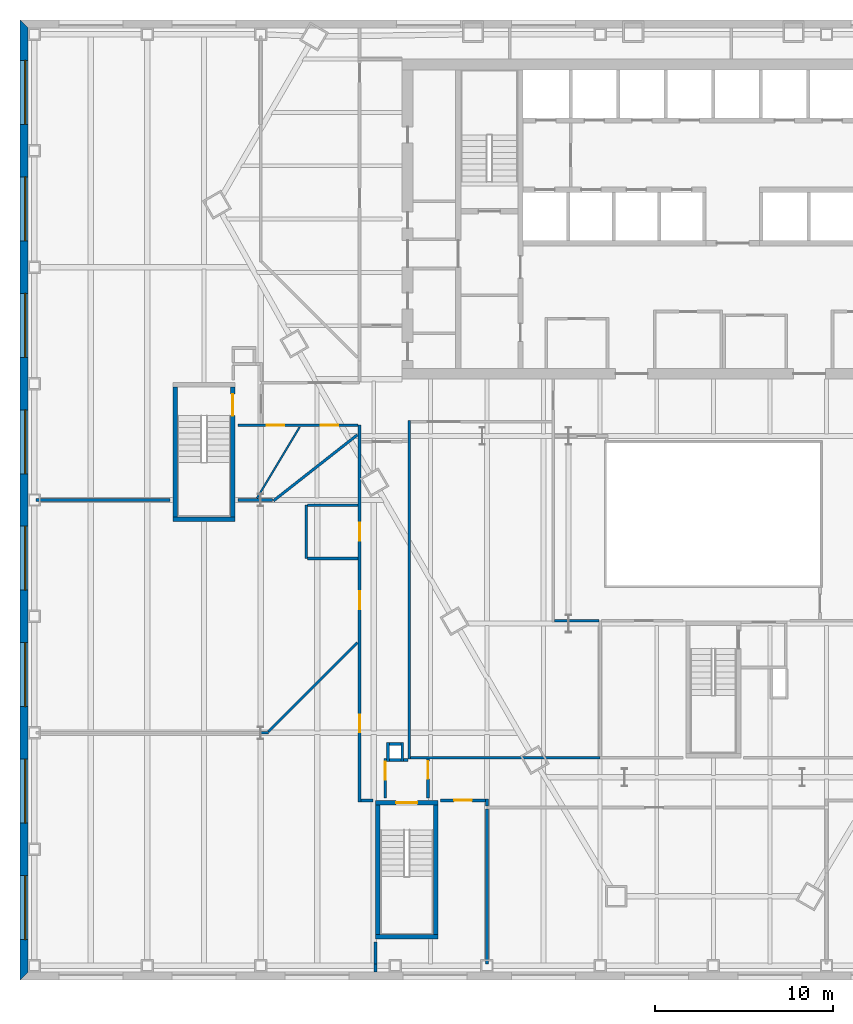
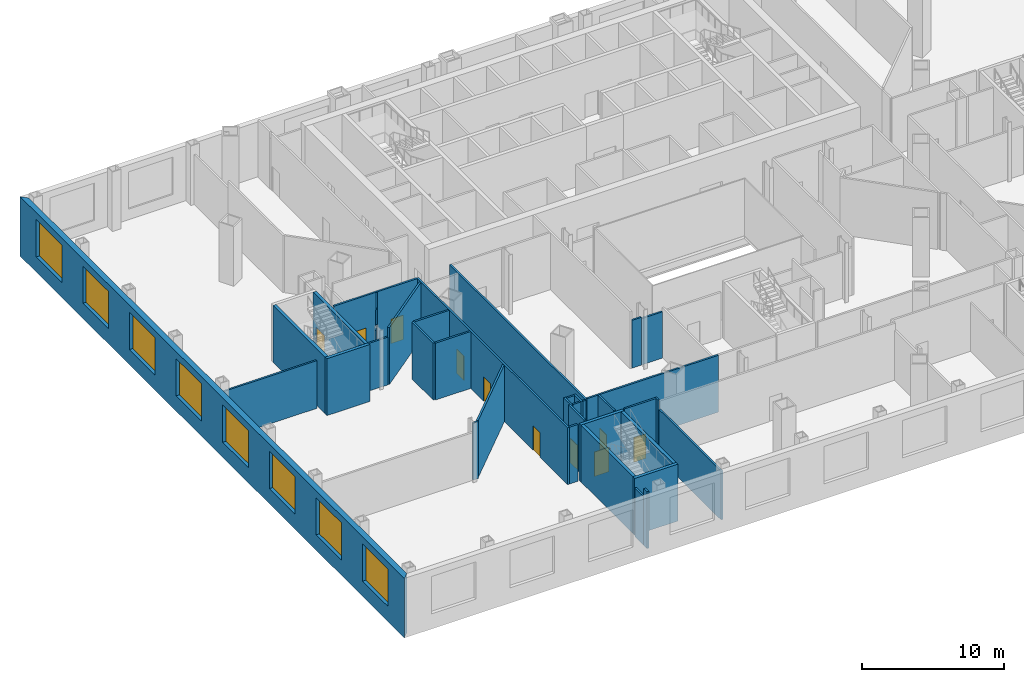
# One storey, part 8 of 21: 36 walls, 10 doors, 8 windows, 18 openings.
"""IFC4 building model written with IfcOpenShell, lengths in metres."""

from ifc_helpers import new_model, si_unit, direction, frame, frame_2d, origin, place, context, subcontext, project, spatial, polyline, rectangle, outline, extrude, material, layer, layer_set, type_object, element, fill, save


model = new_model("IFC4")

# Units and contexts
model_context = context("Model", 3, precision=1e-05, world=origin(), true_north=direction((0.0, 1.0)))
body_context = subcontext(model_context, "Body", "Model", "MODEL_VIEW")
ifc_project = project(units=[si_unit("LENGTHUNIT", "METRE"), si_unit("AREAUNIT", "SQUARE_METRE"), si_unit("VOLUMEUNIT", "CUBIC_METRE"), si_unit("PLANEANGLEUNIT", "RADIAN"), si_unit("MASSUNIT", "GRAM", prefix="KILO")], contexts=[model_context])

# Site, building, storey
site_placement = place(None, origin())
site = spatial("IfcSite", under=ifc_project, at=site_placement, CompositionType="ELEMENT")
building_placement = place(site_placement, origin())
building = spatial("IfcBuilding", under=site, at=building_placement, Name="Njiva Tower", CompositionType="ELEMENT")
storey_placement = place(building_placement, frame((0.0, 0.0, 13.5)))
storey = spatial("IfcBuildingStorey", under=building, at=storey_placement, Name="L02", CompositionType="ELEMENT", Elevation=13.5)

# Walls
ifc_material_1 = material(Name="Gypsum board on steel studs", Category="gypsum")
ifc_layer_1 = layer(ifc_material_1, 0.1)
ifc_layer_set_1 = layer_set([ifc_layer_1], Name="Gypsum board on steel studs")
wall_type_1 = type_object("IfcWallType", Name="WT20 Gypsum partition 100", PredefinedType="PARTITIONING", material=ifc_layer_set_1)
wall_1_placement = place(storey_placement, frame((-25.672, -6.699, 0.0), z_axis=(0.0, 0.0, 1.0), x_axis=(0.5148425828, 0.857284733875, 0.0)))
element("IfcWall", 1, at=wall_1_placement, inside=storey, type_object=wall_type_1, Name="Partition L02-P011", PredefinedType="PARTITIONING", context=body_context, shape_type="SweptSolid", body=[
    extrude(rectangle(XDim=4.6636, YDim=0.1, at=frame_2d((2.3318, 0.0))), origin(), (0.0, 0.0, 1.0), 4.88),
])
ifc_layer_2 = layer(ifc_material_1, 0.15)
ifc_layer_set_2 = layer_set([ifc_layer_2], Name="Gypsum board on steel studs")
wall_type_2 = type_object("IfcWallType", Name="WT21 Compartment wall 150", PredefinedType="PARTITIONING", material=ifc_layer_set_2)
wall_2_placement = place(storey_placement, frame((-25.467, -19.9, 0.0), z_axis=(0.0, 0.0, 1.0), x_axis=(1.0, 0.0, 0.0)))
element("IfcWall", 2, at=wall_2_placement, inside=storey, type_object=wall_type_2, Name="Partition L02-P001A", PredefinedType="PARTITIONING", context=body_context, shape_type="SweptSolid", body=[
    extrude(rectangle(XDim=0.44, YDim=0.15, at=frame_2d((0.22, 0.0))), origin(), (0.0, 0.0, 1.0), 4.88),
])
wall_3_placement = place(storey_placement, frame((-38.1, -6.8, 0.0), z_axis=(0.0, 0.0, 1.0), x_axis=(1.0, 0.0, 0.0)))
element("IfcWall", 3, at=wall_3_placement, inside=storey, type_object=wall_type_2, Name="Partition L02-P002", PredefinedType="PARTITIONING", context=body_context, shape_type="SweptSolid", body=[
    extrude(rectangle(XDim=7.55, YDim=0.15, at=frame_2d((3.775, 0.0))), origin(), (0.0, 0.0, 1.0), 4.09),
])
wall_4_placement = place(storey_placement, frame((-26.75, -6.8, 0.0), z_axis=(0.0, 0.0, 1.0), x_axis=(1.0, 0.0, 0.0)))
element("IfcWall", 4, at=wall_4_placement, inside=storey, type_object=wall_type_2, Name="Partition L02-P007", PredefinedType="PARTITIONING", context=body_context, shape_type="SweptSolid", body=[
    extrude(rectangle(XDim=1.959, YDim=0.15, at=frame_2d((0.9795, 0.0))), origin(), (0.0, 0.0, 1.0), 4.09),
])

# Wall, openings, doors
wall_5_placement = place(storey_placement, frame((-26.75, -2.6, 0.0), z_axis=(0.0, 0.0, 1.0), x_axis=(1.0, 0.0, 0.0)))
wall_5 = element("IfcWall", 5, at=wall_5_placement, inside=storey, type_object=wall_type_2, Name="Partition L02-P008", PredefinedType="PARTITIONING", context=body_context, shape_type="SweptSolid", body=[
    extrude(rectangle(XDim=6.775, YDim=0.15, at=frame_2d((3.3875, 0.0))), origin(), (0.0, 0.0, 1.0), 4.88),
])
opening_1_placement = place(wall_5_placement, frame((1.616, 0.0, 0.0)))
opening_1 = element("IfcOpeningElement", 6, at=opening_1_placement, cuts=wall_5, Name="Opening L02-D001", PredefinedType="OPENING", context=body_context, shape_type="SweptSolid", body=[
    extrude(rectangle(XDim=1.0, YDim=2.1, at=frame_2d((0.5, 1.05))), frame((0.0, 0.085, 0.0), z_axis=(0.0, -1.0, 0.0), x_axis=(1.0, 0.0, 0.0)), (0.0, 0.0, 1.0), 0.17),
])
opening_2_placement = place(wall_5_placement, frame((4.658, 0.0, 0.0)))
opening_2 = element("IfcOpeningElement", 7, at=opening_2_placement, cuts=wall_5, Name="Opening L02-D002", PredefinedType="OPENING", context=body_context, shape_type="SweptSolid", body=[
    extrude(rectangle(XDim=1.0, YDim=2.1, at=frame_2d((0.5, 1.05))), frame((0.0, 0.085, 0.0), z_axis=(0.0, -1.0, 0.0), x_axis=(1.0, 0.0, 0.0)), (0.0, 0.0, 1.0), 0.17),
])
ifc_material_2 = material(Name="Steel fire door set", Category="steel")
door_type_1 = type_object("IfcDoorType", Name="D37 Fire door 1000x2100", OperationType="SINGLE_SWING_LEFT", PredefinedType="DOOR", material=ifc_material_2)
door_1_placement = place(opening_1_placement, origin())
door_1 = element("IfcDoor", 8, at=door_1_placement, inside=storey, type_object=door_type_1, Name="Door L02-D001", OperationType="SINGLE_SWING_LEFT", OverallHeight=2.1, OverallWidth=1.0, PredefinedType="DOOR", context=body_context, shape_type="SweptSolid", body=[
    extrude(rectangle(XDim=1.0, YDim=2.1, at=frame_2d((0.5, 1.05))), frame((0.0, 0.025, 0.0), z_axis=(0.0, -1.0, 0.0), x_axis=(1.0, 0.0, 0.0)), (0.0, 0.0, 1.0), 0.05),
])
fill(opening_1, door_1)
door_2_placement = place(opening_2_placement, origin())
door_2 = element("IfcDoor", 9, at=door_2_placement, inside=storey, type_object=door_type_1, Name="Door L02-D002", OperationType="SINGLE_SWING_RIGHT", OverallHeight=2.1, OverallWidth=1.0, PredefinedType="DOOR", context=body_context, shape_type="SweptSolid", body=[
    extrude(rectangle(XDim=1.0, YDim=2.1, at=frame_2d((0.5, 1.05))), frame((0.0, 0.025, 0.0), z_axis=(0.0, -1.0, 0.0), x_axis=(1.0, 0.0, 0.0)), (0.0, 0.0, 1.0), 0.05),
])
fill(opening_2, door_2)

# Walls
wall_6_placement = place(storey_placement, frame((-25.027, -19.825, 0.0), z_axis=(0.0, 0.0, 1.0), x_axis=(0.707106781187, 0.707106781187, 0.0)))
element("IfcWall", 10, at=wall_6_placement, inside=storey, type_object=wall_type_2, Name="Partition L02-P017", PredefinedType="PARTITIONING", context=body_context, shape_type="SweptSolid", body=[
    extrude(rectangle(XDim=7.0697, YDim=0.15, at=frame_2d((3.5348, 0.0))), origin(), (0.0, 0.0, 1.0), 4.88),
])
wall_7_placement = place(storey_placement, frame((-24.745, -6.846, 0.0), z_axis=(0.0, 0.0, 1.0), x_axis=(0.786295235231, 0.617850955372, 0.0)))
element("IfcWall", 11, at=wall_7_placement, inside=storey, type_object=wall_type_2, Name="Partition L02-P018", PredefinedType="PARTITIONING", context=body_context, shape_type="SweptSolid", body=[
    extrude(rectangle(XDim=6.0079, YDim=0.15, at=frame_2d((3.004, 0.0))), origin(), (0.0, 0.0, 1.0), 4.88),
])
wall_8_placement = place(storey_placement, frame((-22.9, -10.087, 0.0), z_axis=(0.0, 0.0, 1.0), x_axis=(0.0, 1.0, 0.0)))
element("IfcWall", 12, at=wall_8_placement, inside=storey, type_object=wall_type_2, Name="Partition L02-P019", PredefinedType="PARTITIONING", context=body_context, shape_type="SweptSolid", body=[
    extrude(rectangle(XDim=3.0, YDim=0.15, at=frame_2d((1.5, 0.0))), origin(), (0.0, 0.0, 1.0), 4.88),
])
for number, where, z_axis, x_axis, name in (
    (13, (-22.825, -10.087, 0.0), (0.0, 0.0, 1.0), (1.0, 0.0, 0.0), "Partition L02-P020"),
    (14, (-22.825, -7.087, 0.0), (0.0, 0.0, 1.0), (1.0, 0.0, 0.0), "Partition L02-P021"),
):
    element("IfcWall", number, at=place(storey_placement, frame(where, z_axis=z_axis, x_axis=x_axis)), inside=storey, type_object=wall_type_2, Name=name, PredefinedType="PARTITIONING", context=body_context, shape_type="SweptSolid", body=[
        extrude(rectangle(XDim=2.85, YDim=0.15, at=frame_2d((1.425, 0.0))), origin(), (0.0, 0.0, 1.0), 4.88),
    ])

# Wall, openings, doors
wall_9_placement = place(storey_placement, frame((-19.9, -23.775, 0.0), z_axis=(0.0, 0.0, 1.0), x_axis=(0.0, 1.0, 0.0)))
wall_9 = element("IfcWall", 15, at=wall_9_placement, inside=storey, type_object=wall_type_2, Name="Partition L02-P023", PredefinedType="PARTITIONING", context=body_context, shape_type="SweptSolid", body=[
    extrude(rectangle(XDim=21.187, YDim=0.15, at=frame_2d((10.5935, 0.0))), origin(), (0.0, 0.0, 1.0), 4.88),
])
opening_3_placement = place(wall_9_placement, frame((3.898, 0.0, 0.0)))
opening_3 = element("IfcOpeningElement", 16, at=opening_3_placement, cuts=wall_9, Name="Opening L02-D005", PredefinedType="OPENING", context=body_context, shape_type="SweptSolid", body=[
    extrude(rectangle(XDim=1.0, YDim=2.1, at=frame_2d((0.5, 1.05))), frame((0.0, 0.085, 0.0), z_axis=(0.0, -1.0, 0.0), x_axis=(1.0, 0.0, 0.0)), (0.0, 0.0, 1.0), 0.17),
])
opening_4_placement = place(wall_9_placement, frame((10.832, 0.0, 0.0)))
opening_4 = element("IfcOpeningElement", 17, at=opening_4_placement, cuts=wall_9, Name="Opening L02-D006", PredefinedType="OPENING", context=body_context, shape_type="SweptSolid", body=[
    extrude(rectangle(XDim=1.0, YDim=2.1, at=frame_2d((0.5, 1.05))), frame((0.0, 0.085, 0.0), z_axis=(0.0, -1.0, 0.0), x_axis=(1.0, 0.0, 0.0)), (0.0, 0.0, 1.0), 0.17),
])
opening_5_placement = place(wall_9_placement, frame((14.688, 0.0, 0.0)))
opening_5 = element("IfcOpeningElement", 18, at=opening_5_placement, cuts=wall_9, Name="Opening L02-D007", PredefinedType="OPENING", context=body_context, shape_type="SweptSolid", body=[
    extrude(rectangle(XDim=1.0, YDim=2.1, at=frame_2d((0.5, 1.05))), frame((0.0, 0.085, 0.0), z_axis=(0.0, -1.0, 0.0), x_axis=(1.0, 0.0, 0.0)), (0.0, 0.0, 1.0), 0.17),
])
door_3_placement = place(opening_3_placement, origin())
door_3 = element("IfcDoor", 19, at=door_3_placement, inside=storey, type_object=door_type_1, Name="Door L02-D005", OperationType="SINGLE_SWING_RIGHT", OverallHeight=2.1, OverallWidth=1.0, PredefinedType="DOOR", context=body_context, shape_type="SweptSolid", body=[
    extrude(rectangle(XDim=1.0, YDim=2.1, at=frame_2d((0.5, 1.05))), frame((0.0, 0.025, 0.0), z_axis=(0.0, -1.0, 0.0), x_axis=(1.0, 0.0, 0.0)), (0.0, 0.0, 1.0), 0.05),
])
fill(opening_3, door_3)
door_4_placement = place(opening_4_placement, origin())
door_4 = element("IfcDoor", 20, at=door_4_placement, inside=storey, type_object=door_type_1, Name="Door L02-D006", OperationType="SINGLE_SWING_LEFT", OverallHeight=2.1, OverallWidth=1.0, PredefinedType="DOOR", context=body_context, shape_type="SweptSolid", body=[
    extrude(rectangle(XDim=1.0, YDim=2.1, at=frame_2d((0.5, 1.05))), frame((0.0, 0.025, 0.0), z_axis=(0.0, -1.0, 0.0), x_axis=(1.0, 0.0, 0.0)), (0.0, 0.0, 1.0), 0.05),
])
fill(opening_4, door_4)
door_5_placement = place(opening_5_placement, origin())
door_5 = element("IfcDoor", 21, at=door_5_placement, inside=storey, type_object=door_type_1, Name="Door L02-D007", OperationType="SINGLE_SWING_LEFT", OverallHeight=2.1, OverallWidth=1.0, PredefinedType="DOOR", context=body_context, shape_type="SweptSolid", body=[
    extrude(rectangle(XDim=1.0, YDim=2.1, at=frame_2d((0.5, 1.05))), frame((0.0, 0.025, 0.0), z_axis=(0.0, -1.0, 0.0), x_axis=(1.0, 0.0, 0.0)), (0.0, 0.0, 1.0), 0.05),
])
fill(opening_5, door_5)

# Walls
wall_10_placement = place(storey_placement, frame((-19.825, -23.7, 0.0), z_axis=(0.0, 0.0, 1.0), x_axis=(1.0, 0.0, 0.0)))
element("IfcWall", 22, at=wall_10_placement, inside=storey, type_object=wall_type_2, Name="Partition L02-P027", PredefinedType="PARTITIONING", context=body_context, shape_type="SweptSolid", body=[
    extrude(rectangle(XDim=0.675, YDim=0.15, at=frame_2d((0.3375, 0.0))), origin(), (0.0, 0.0, 1.0), 4.88),
])
wall_11_placement = place(storey_placement, frame((-19.0, -33.348, 0.0), z_axis=(0.0, 0.0, 1.0), x_axis=(0.0, 1.0, 0.0)))
element("IfcWall", 23, at=wall_11_placement, inside=storey, type_object=wall_type_2, Name="Partition L02-P030", PredefinedType="PARTITIONING", context=body_context, shape_type="SweptSolid", body=[
    extrude(rectangle(XDim=0.448, YDim=0.15, at=frame_2d((0.224, 0.0))), origin(), (0.0, 0.0, 1.0), 4.88),
])
wall_12_placement = place(storey_placement, frame((-19.0, -32.9, 0.0), z_axis=(0.0, 0.0, 1.0), x_axis=(0.0, 1.0, 0.0)))
element("IfcWall", 24, at=wall_12_placement, inside=storey, type_object=wall_type_2, Name="Partition L02-P030A", PredefinedType="PARTITIONING", context=body_context, shape_type="SweptSolid", body=[
    extrude(rectangle(XDim=1.25, YDim=0.15, at=frame_2d((0.625, 0.0))), origin(), (0.0, 0.0, 1.0), 4.19),
])

# Wall, opening, door
wall_13_placement = place(storey_placement, frame((-18.45, -23.55, 0.0), z_axis=(0.0, 0.0, 1.0), x_axis=(0.0, 1.0, 0.0)))
wall_13 = element("IfcWall", 25, at=wall_13_placement, inside=storey, type_object=wall_type_2, Name="Partition L02-P031", PredefinedType="PARTITIONING", context=body_context, shape_type="SweptSolid", body=[
    extrude(rectangle(XDim=2.2, YDim=0.15, at=frame_2d((1.1, 0.0))), origin(), (0.0, 0.0, 1.0), 4.88),
])
opening_6_placement = place(wall_13_placement, frame((1.013, 0.0, 0.0)))
opening_6 = element("IfcOpeningElement", 26, at=opening_6_placement, cuts=wall_13, Name="Opening L02-D012", PredefinedType="OPENING", context=body_context, shape_type="SweptSolid", body=[
    extrude(rectangle(XDim=1.0, YDim=2.1, at=frame_2d((0.5, 1.05))), frame((0.0, 0.085, 0.0), z_axis=(0.0, -1.0, 0.0), x_axis=(1.0, 0.0, 0.0)), (0.0, 0.0, 1.0), 0.17),
])
ifc_material_3 = material(Name="Glazed steel fire door", Category="steel")
door_type_2 = type_object("IfcDoorType", Name="D41 Glazed fire door 1000x2100", OperationType="SINGLE_SWING_LEFT", PredefinedType="DOOR", material=ifc_material_3)
door_6_placement = place(opening_6_placement, origin())
door_6 = element("IfcDoor", 27, at=door_6_placement, inside=storey, type_object=door_type_2, Name="Door L02-D012", OperationType="SINGLE_SWING_RIGHT", OverallHeight=2.1, OverallWidth=1.0, PredefinedType="DOOR", context=body_context, shape_type="SweptSolid", body=[
    extrude(rectangle(XDim=1.0, YDim=2.1, at=frame_2d((0.5, 1.05))), frame((0.0, 0.025, 0.0), z_axis=(0.0, -1.0, 0.0), x_axis=(1.0, 0.0, 0.0)), (0.0, 0.0, 1.0), 0.05),
])
fill(opening_6, door_6)

# Walls
wall_14_placement = place(storey_placement, frame((-17.425, -21.425, 0.0), z_axis=(0.0, 0.0, 1.0), x_axis=(1.0, 0.0, 0.0)))
element("IfcWall", 28, at=wall_14_placement, inside=storey, type_object=wall_type_2, Name="Partition L02-P037", PredefinedType="PARTITIONING", context=body_context, shape_type="SweptSolid", body=[
    extrude(rectangle(XDim=0.25, YDim=0.15, at=frame_2d((0.125, 0.0))), origin(), (0.0, 0.0, 1.0), 4.88),
])
wall_15_placement = place(storey_placement, frame((-17.1, -21.375, 0.0), z_axis=(0.0, 0.0, 1.0), x_axis=(0.0, 1.0, 0.0)))
element("IfcWall", 29, at=wall_15_placement, inside=storey, type_object=wall_type_2, Name="Partition L02-P038", PredefinedType="PARTITIONING", context=body_context, shape_type="SweptSolid", body=[
    extrude(rectangle(XDim=19.05, YDim=0.15, at=frame_2d((9.525, 0.0))), origin(), (0.0, 0.0, 1.0), 4.88),
])
wall_16_placement = place(storey_placement, frame((-17.025, -21.3, 0.0), z_axis=(0.0, 0.0, 1.0), x_axis=(1.0, 0.0, 0.0)))
element("IfcWall", 30, at=wall_16_placement, inside=storey, type_object=wall_type_2, Name="Partition L02-P039", PredefinedType="PARTITIONING", context=body_context, shape_type="SweptSolid", body=[
    extrude(rectangle(XDim=10.654, YDim=0.15, at=frame_2d((5.327, 0.0))), origin(), (0.0, 0.0, 1.0), 4.88),
])

# Wall, opening, door
wall_17_placement = place(storey_placement, frame((-16.05, -23.55, 0.0), z_axis=(0.0, 0.0, 1.0), x_axis=(0.0, 1.0, 0.0)))
wall_17 = element("IfcWall", 31, at=wall_17_placement, inside=storey, type_object=wall_type_2, Name="Partition L02-P041", PredefinedType="PARTITIONING", context=body_context, shape_type="SweptSolid", body=[
    extrude(rectangle(XDim=2.175, YDim=0.15, at=frame_2d((1.0875, 0.0))), origin(), (0.0, 0.0, 1.0), 4.88),
])
opening_7_placement = place(wall_17_placement, frame((1.063, 0.0, 0.0)))
opening_7 = element("IfcOpeningElement", 32, at=opening_7_placement, cuts=wall_17, Name="Opening L02-D014", PredefinedType="OPENING", context=body_context, shape_type="SweptSolid", body=[
    extrude(rectangle(XDim=1.0, YDim=2.1, at=frame_2d((0.5, 1.05))), frame((0.0, 0.085, 0.0), z_axis=(0.0, -1.0, 0.0), x_axis=(1.0, 0.0, 0.0)), (0.0, 0.0, 1.0), 0.17),
])
door_7_placement = place(opening_7_placement, origin())
door_7 = element("IfcDoor", 33, at=door_7_placement, inside=storey, type_object=door_type_2, Name="Door L02-D014", OperationType="SINGLE_SWING_LEFT", OverallHeight=2.1, OverallWidth=1.0, PredefinedType="DOOR", context=body_context, shape_type="SweptSolid", body=[
    extrude(rectangle(XDim=1.0, YDim=2.1, at=frame_2d((0.5, 1.05))), frame((0.0, 0.025, 0.0), z_axis=(0.0, -1.0, 0.0), x_axis=(1.0, 0.0, 0.0)), (0.0, 0.0, 1.0), 0.05),
])
fill(opening_7, door_7)

wall_18_placement = place(storey_placement, frame((-15.35, -23.7, 0.0), z_axis=(0.0, 0.0, 1.0), x_axis=(1.0, 0.0, 0.0)))
wall_18 = element("IfcWall", 34, at=wall_18_placement, inside=storey, type_object=wall_type_2, Name="Partition L02-P042", PredefinedType="PARTITIONING", context=body_context, shape_type="SweptSolid", body=[
    extrude(rectangle(XDim=2.542, YDim=0.15, at=frame_2d((1.271, 0.0))), origin(), (0.0, 0.0, 1.0), 4.88),
])
opening_8_placement = place(wall_18_placement, frame((0.771, 0.0, 0.0)))
opening_8 = element("IfcOpeningElement", 35, at=opening_8_placement, cuts=wall_18, Name="Opening L02-D015", PredefinedType="OPENING", context=body_context, shape_type="SweptSolid", body=[
    extrude(rectangle(XDim=1.0, YDim=2.1, at=frame_2d((0.5, 1.05))), frame((0.0, 0.085, 0.0), z_axis=(0.0, -1.0, 0.0), x_axis=(1.0, 0.0, 0.0)), (0.0, 0.0, 1.0), 0.17),
])
door_8_placement = place(opening_8_placement, origin())
door_8 = element("IfcDoor", 36, at=door_8_placement, inside=storey, type_object=door_type_1, Name="Door L02-D015", OperationType="SINGLE_SWING_RIGHT", OverallHeight=2.1, OverallWidth=1.0, PredefinedType="DOOR", context=body_context, shape_type="SweptSolid", body=[
    extrude(rectangle(XDim=1.0, YDim=2.1, at=frame_2d((0.5, 1.05))), frame((0.0, 0.025, 0.0), z_axis=(0.0, -1.0, 0.0), x_axis=(1.0, 0.0, 0.0)), (0.0, 0.0, 1.0), 0.05),
])
fill(opening_8, door_8)

# Walls
wall_19_placement = place(storey_placement, frame((-12.733, -32.9, 0.0), z_axis=(0.0, 0.0, 1.0), x_axis=(0.0, 1.0, 0.0)))
element("IfcWall", 37, at=wall_19_placement, inside=storey, type_object=wall_type_2, Name="Partition L02-P043", PredefinedType="PARTITIONING", context=body_context, shape_type="SweptSolid", body=[
    extrude(rectangle(XDim=8.725, YDim=0.15, at=frame_2d((4.3625, 0.0))), origin(), (0.0, 0.0, 1.0), 4.19),
])
wall_20_placement = place(storey_placement, frame((-12.733, -24.025, 0.0), z_axis=(0.0, 0.0, 1.0), x_axis=(0.0, 1.0, 0.0)))
element("IfcWall", 38, at=wall_20_placement, inside=storey, type_object=wall_type_2, Name="Partition L02-P045", PredefinedType="PARTITIONING", context=body_context, shape_type="SweptSolid", body=[
    extrude(rectangle(XDim=0.4, YDim=0.15, at=frame_2d((0.2, 0.0))), origin(), (0.0, 0.0, 1.0), 4.88),
])
wall_21_placement = place(storey_placement, frame((-8.925, -13.6, 0.0), z_axis=(0.0, 0.0, 1.0), x_axis=(1.0, 0.0, 0.0)))
element("IfcWall", 39, at=wall_21_placement, inside=storey, type_object=wall_type_2, Name="Partition L02-P048", PredefinedType="PARTITIONING", context=body_context, shape_type="SweptSolid", body=[
    extrude(rectangle(XDim=0.775, YDim=0.15, at=frame_2d((0.3875, 0.0))), origin(), (0.0, 0.0, 1.0), 4.09),
])
wall_22_placement = place(storey_placement, frame((-8.15, -13.6, 0.0), z_axis=(0.0, 0.0, 1.0), x_axis=(1.0, 0.0, 0.0)))
element("IfcWall", 40, at=wall_22_placement, inside=storey, type_object=wall_type_2, Name="Partition L02-P048A", PredefinedType="PARTITIONING", context=body_context, shape_type="SweptSolid", body=[
    extrude(rectangle(XDim=1.708, YDim=0.15, at=frame_2d((0.854, 0.0))), origin(), (0.0, 0.0, 1.0), 3.97),
])
ifc_layer_3 = layer(ifc_material_1, 0.15)
ifc_layer_set_3 = layer_set([ifc_layer_3], Name="Gypsum board on steel studs")
wall_type_3 = type_object("IfcWallType", Name="WT24 Riser room wall 150", PredefinedType="PARTITIONING", material=ifc_layer_set_3)
wall_23_placement = place(storey_placement, frame((-18.3, -21.5, 0.0), z_axis=(0.0, 0.0, 1.0), x_axis=(0.0, 1.0, 0.0)))
element("IfcWall", 41, at=wall_23_placement, inside=storey, type_object=wall_type_3, Name="Partition L02-P032", PredefinedType="PARTITIONING", context=body_context, shape_type="SweptSolid", body=[
    extrude(rectangle(XDim=1.05, YDim=0.15, at=frame_2d((0.525, 0.0))), origin(), (0.0, 0.0, 1.0), 4.88),
])
for number, where, z_axis, x_axis, name in (
    (42, (-18.225, -21.425, 0.0), (0.0, 0.0, 1.0), (1.0, 0.0, 0.0), "Partition L02-P033"),
    (43, (-18.225, -20.525, 0.0), (0.0, 0.0, 1.0), (1.0, 0.0, 0.0), "Partition L02-P034"),
):
    element("IfcWall", number, at=place(storey_placement, frame(where, z_axis=z_axis, x_axis=x_axis)), inside=storey, type_object=wall_type_3, Name=name, PredefinedType="PARTITIONING", context=body_context, shape_type="SweptSolid", body=[
        extrude(rectangle(XDim=0.65, YDim=0.15, at=frame_2d((0.325, 0.0))), origin(), (0.0, 0.0, 1.0), 4.88),
    ])
wall_24_placement = place(storey_placement, frame((-17.5, -21.5, 0.0), z_axis=(0.0, 0.0, 1.0), x_axis=(0.0, 1.0, 0.0)))
element("IfcWall", 44, at=wall_24_placement, inside=storey, type_object=wall_type_3, Name="Partition L02-P035", PredefinedType="PARTITIONING", context=body_context, shape_type="SweptSolid", body=[
    extrude(rectangle(XDim=1.05, YDim=0.15, at=frame_2d((0.525, 0.0))), origin(), (0.0, 0.0, 1.0), 4.88),
])
ifc_material_4 = material(Name="Concrete C40/50", Category="concrete")
ifc_layer_4 = layer(ifc_material_4, 0.25)
ifc_layer_set_4 = layer_set([ifc_layer_4], Name="Concrete C40/50")
wall_type_4 = type_object("IfcWallType", Name="WT9 Stair enclosure wall 250", PredefinedType="SHEAR", material=ifc_layer_set_4)
for number, where, z_axis, x_axis, name in (
    (45, (-18.875, -31.25, 0.0), (0.0, 0.0, 1.0), (0.0, 1.0, 0.0), "Stair D wall west"),
    (46, (-15.625, -31.25, 0.0), (0.0, 0.0, 1.0), (0.0, 1.0, 0.0), "Stair D wall east"),
):
    element("IfcWall", number, at=place(storey_placement, frame(where, z_axis=z_axis, x_axis=x_axis)), inside=storey, type_object=wall_type_4, Name=name, PredefinedType="SHEAR", context=body_context, shape_type="SweptSolid", body=[
        extrude(rectangle(XDim=7.3, YDim=0.25, at=frame_2d((3.65, 0.0))), origin(), (0.0, 0.0, 1.0), 4.88),
    ])
wall_25_placement = place(storey_placement, frame((-19.0, -31.375, 0.0), z_axis=(0.0, 0.0, 1.0), x_axis=(1.0, 0.0, 0.0)))
element("IfcWall", 47, at=wall_25_placement, inside=storey, type_object=wall_type_4, Name="Stair D wall south", PredefinedType="SHEAR", context=body_context, shape_type="SweptSolid", body=[
    extrude(rectangle(XDim=3.5, YDim=0.25, at=frame_2d((1.75, 0.0))), origin(), (0.0, 0.0, 1.0), 4.88),
])

# Wall, opening, door
wall_26_placement = place(storey_placement, frame((-19.0, -23.825, 0.0), z_axis=(0.0, 0.0, 1.0), x_axis=(1.0, 0.0, 0.0)))
wall_26 = element("IfcWall", 48, at=wall_26_placement, inside=storey, type_object=wall_type_4, Name="Stair D wall north", PredefinedType="SHEAR", context=body_context, shape_type="SweptSolid", body=[
    extrude(rectangle(XDim=3.5, YDim=0.25, at=frame_2d((1.75, 0.0))), origin(), (0.0, 0.0, 1.0), 4.88),
])
opening_9_placement = place(wall_26_placement, frame((1.15, 0.0, 0.0)))
opening_9 = element("IfcOpeningElement", 49, at=opening_9_placement, cuts=wall_26, Name="Opening L02-D941", PredefinedType="OPENING", context=body_context, shape_type="SweptSolid", body=[
    extrude(rectangle(XDim=1.2, YDim=2.1, at=frame_2d((0.6, 1.05))), frame((0.0, 0.135, 0.0), z_axis=(0.0, -1.0, 0.0), x_axis=(1.0, 0.0, 0.0)), (0.0, 0.0, 1.0), 0.27),
])
ifc_material_5 = material(Name="Steel door, painted", Category="steel")
door_type_3 = type_object("IfcDoorType", Name="D1 Stair door 1200x2100", OperationType="SINGLE_SWING_LEFT", PredefinedType="DOOR", material=ifc_material_5)
door_9_placement = place(opening_9_placement, origin())
door_9 = element("IfcDoor", 50, at=door_9_placement, inside=storey, type_object=door_type_3, Name="Stair D door", OperationType="SINGLE_SWING_LEFT", OverallHeight=2.1, OverallWidth=1.2, PredefinedType="DOOR", context=body_context, shape_type="SweptSolid", body=[
    extrude(rectangle(XDim=1.2, YDim=2.1, at=frame_2d((0.6, 1.05))), frame((0.0, 0.025, 0.0), z_axis=(0.0, -1.0, 0.0), x_axis=(1.0, 0.0, 0.0)), (0.0, 0.0, 1.0), 0.05),
])
fill(opening_9, door_9)

# Wall
wall_27_placement = place(storey_placement, frame((-30.275, -7.75, 0.0), z_axis=(0.0, 0.0, 1.0), x_axis=(0.0, 1.0, 0.0)))
element("IfcWall", 51, at=wall_27_placement, inside=storey, type_object=wall_type_4, Name="Stair F wall west", PredefinedType="SHEAR", context=body_context, shape_type="SweptSolid", body=[
    extrude(rectangle(XDim=7.3, YDim=0.25, at=frame_2d((3.65, 0.0))), origin(), (0.0, 0.0, 1.0), 4.88),
])

# Wall, opening, door
wall_28_placement = place(storey_placement, frame((-27.025, -7.75, 0.0), z_axis=(0.0, 0.0, 1.0), x_axis=(0.0, 1.0, 0.0)))
wall_28 = element("IfcWall", 52, at=wall_28_placement, inside=storey, type_object=wall_type_4, Name="Stair F wall east", PredefinedType="SHEAR", context=body_context, shape_type="SweptSolid", body=[
    extrude(rectangle(XDim=7.3, YDim=0.25, at=frame_2d((3.65, 0.0))), origin(), (0.0, 0.0, 1.0), 4.88),
])
opening_10_placement = place(wall_28_placement, frame((5.7, 0.0, 0.0)))
opening_10 = element("IfcOpeningElement", 53, at=opening_10_placement, cuts=wall_28, Name="Opening L02-D943", PredefinedType="OPENING", context=body_context, shape_type="SweptSolid", body=[
    extrude(rectangle(XDim=1.2, YDim=2.1, at=frame_2d((0.6, 1.05))), frame((0.0, 0.135, 0.0), z_axis=(0.0, -1.0, 0.0), x_axis=(1.0, 0.0, 0.0)), (0.0, 0.0, 1.0), 0.27),
])
door_10_placement = place(opening_10_placement, origin())
door_10 = element("IfcDoor", 54, at=door_10_placement, inside=storey, type_object=door_type_3, Name="Stair F door", OperationType="SINGLE_SWING_LEFT", OverallHeight=2.1, OverallWidth=1.2, PredefinedType="DOOR", context=body_context, shape_type="SweptSolid", body=[
    extrude(rectangle(XDim=1.2, YDim=2.1, at=frame_2d((0.6, 1.05))), frame((0.0, 0.025, 0.0), z_axis=(0.0, -1.0, 0.0), x_axis=(1.0, 0.0, 0.0)), (0.0, 0.0, 1.0), 0.05),
])
fill(opening_10, door_10)

# Wall
wall_29_placement = place(storey_placement, frame((-30.4, -7.875, 0.0), z_axis=(0.0, 0.0, 1.0), x_axis=(1.0, 0.0, 0.0)))
element("IfcWall", 55, at=wall_29_placement, inside=storey, type_object=wall_type_4, Name="Stair F wall south", PredefinedType="SHEAR", context=body_context, shape_type="SweptSolid", body=[
    extrude(rectangle(XDim=3.5, YDim=0.25, at=frame_2d((1.75, 0.0))), origin(), (0.0, 0.0, 1.0), 4.88),
])

# Wall, openings, windows
ifc_material_6 = material(Name="Brick masonry", Category="masonry")
ifc_layer_5 = layer(ifc_material_6, 0.45)
ifc_layer_set_5 = layer_set([ifc_layer_5], Name="Brick masonry")
wall_type_5 = type_object("IfcWallType", Name="WT90 Brick pier and spandrel wall 450", PredefinedType="SOLIDWALL", material=ifc_layer_set_5)
wall_30_placement = place(storey_placement, frame((-38.775, 19.975, -0.4), z_axis=(0.0, 0.0, 1.0), x_axis=(0.0, -1.0, 0.0)))
wall_30 = element("IfcWall", 56, at=wall_30_placement, inside=storey, type_object=wall_type_5, Name="Podium wall W", PredefinedType="SOLIDWALL", context=body_context, shape_type="SweptSolid", body=[
    extrude(outline(polyline([(-0.225, -0.225), (53.775, -0.225), (53.325, 0.225), (0.225, 0.225), (-0.225, -0.225)])), origin(), (0.0, 0.0, 1.0), 5.1),
])
opening_11_placement = place(wall_30_placement, frame((2.05, 0.0, 1.3)))
opening_11 = element("IfcOpeningElement", 57, at=opening_11_placement, cuts=wall_30, Name="Opening L02-W17", PredefinedType="OPENING", context=body_context, shape_type="SweptSolid", body=[
    extrude(rectangle(XDim=3.6, YDim=3.2, at=frame_2d((1.8, 1.6))), frame((0.0, 0.235, 0.0), z_axis=(0.0, -1.0, 0.0), x_axis=(1.0, 0.0, 0.0)), (0.0, 0.0, 1.0), 0.47),
])
opening_12_placement = place(wall_30_placement, frame((8.6, 0.0, 1.3)))
opening_12 = element("IfcOpeningElement", 58, at=opening_12_placement, cuts=wall_30, Name="Opening L02-W18", PredefinedType="OPENING", context=body_context, shape_type="SweptSolid", body=[
    extrude(rectangle(XDim=3.6, YDim=3.2, at=frame_2d((1.8, 1.6))), frame((0.0, 0.235, 0.0), z_axis=(0.0, -1.0, 0.0), x_axis=(1.0, 0.0, 0.0)), (0.0, 0.0, 1.0), 0.47),
])
opening_13_placement = place(wall_30_placement, frame((15.15, 0.0, 1.3)))
opening_13 = element("IfcOpeningElement", 59, at=opening_13_placement, cuts=wall_30, Name="Opening L02-W19", PredefinedType="OPENING", context=body_context, shape_type="SweptSolid", body=[
    extrude(rectangle(XDim=3.6, YDim=3.2, at=frame_2d((1.8, 1.6))), frame((0.0, 0.235, 0.0), z_axis=(0.0, -1.0, 0.0), x_axis=(1.0, 0.0, 0.0)), (0.0, 0.0, 1.0), 0.47),
])
opening_14_placement = place(wall_30_placement, frame((21.7, 0.0, 1.3)))
opening_14 = element("IfcOpeningElement", 60, at=opening_14_placement, cuts=wall_30, Name="Opening L02-W20", PredefinedType="OPENING", context=body_context, shape_type="SweptSolid", body=[
    extrude(rectangle(XDim=3.6, YDim=3.2, at=frame_2d((1.8, 1.6))), frame((0.0, 0.235, 0.0), z_axis=(0.0, -1.0, 0.0), x_axis=(1.0, 0.0, 0.0)), (0.0, 0.0, 1.0), 0.47),
])
opening_15_placement = place(wall_30_placement, frame((28.25, 0.0, 1.3)))
opening_15 = element("IfcOpeningElement", 61, at=opening_15_placement, cuts=wall_30, Name="Opening L02-W21", PredefinedType="OPENING", context=body_context, shape_type="SweptSolid", body=[
    extrude(rectangle(XDim=3.6, YDim=3.2, at=frame_2d((1.8, 1.6))), frame((0.0, 0.235, 0.0), z_axis=(0.0, -1.0, 0.0), x_axis=(1.0, 0.0, 0.0)), (0.0, 0.0, 1.0), 0.47),
])
opening_16_placement = place(wall_30_placement, frame((34.8, 0.0, 1.3)))
opening_16 = element("IfcOpeningElement", 62, at=opening_16_placement, cuts=wall_30, Name="Opening L02-W22", PredefinedType="OPENING", context=body_context, shape_type="SweptSolid", body=[
    extrude(rectangle(XDim=3.6, YDim=3.2, at=frame_2d((1.8, 1.6))), frame((0.0, 0.235, 0.0), z_axis=(0.0, -1.0, 0.0), x_axis=(1.0, 0.0, 0.0)), (0.0, 0.0, 1.0), 0.47),
])
opening_17_placement = place(wall_30_placement, frame((41.35, 0.0, 1.3)))
opening_17 = element("IfcOpeningElement", 63, at=opening_17_placement, cuts=wall_30, Name="Opening L02-W23", PredefinedType="OPENING", context=body_context, shape_type="SweptSolid", body=[
    extrude(rectangle(XDim=3.6, YDim=3.2, at=frame_2d((1.8, 1.6))), frame((0.0, 0.235, 0.0), z_axis=(0.0, -1.0, 0.0), x_axis=(1.0, 0.0, 0.0)), (0.0, 0.0, 1.0), 0.47),
])
opening_18_placement = place(wall_30_placement, frame((47.9, 0.0, 1.3)))
opening_18 = element("IfcOpeningElement", 64, at=opening_18_placement, cuts=wall_30, Name="Opening L02-W24", PredefinedType="OPENING", context=body_context, shape_type="SweptSolid", body=[
    extrude(rectangle(XDim=3.6, YDim=3.2, at=frame_2d((1.8, 1.6))), frame((0.0, 0.235, 0.0), z_axis=(0.0, -1.0, 0.0), x_axis=(1.0, 0.0, 0.0)), (0.0, 0.0, 1.0), 0.47),
])
ifc_material_7 = material(Name="Clear glazing in aluminium frame", Category="aluminium")
window_type = type_object("IfcWindowType", Name="W98 Deep-set window 3600x3200", PartitioningType="SINGLE_PANEL", PredefinedType="WINDOW", material=ifc_material_7)
window_1_placement = place(opening_11_placement, origin())
window_1 = element("IfcWindow", 65, at=window_1_placement, inside=storey, type_object=window_type, Name="Window", OverallHeight=3.2, OverallWidth=3.6, PartitioningType="SINGLE_PANEL", PredefinedType="WINDOW", context=body_context, shape_type="SweptSolid", body=[
    extrude(rectangle(XDim=3.6, YDim=3.2, at=frame_2d((1.8, 1.6))), frame((0.0, 0.105, 0.0), z_axis=(0.0, -1.0, 0.0), x_axis=(1.0, 0.0, 0.0)), (0.0, 0.0, 1.0), 0.06),
])
fill(opening_11, window_1)
window_2_placement = place(opening_12_placement, origin())
window_2 = element("IfcWindow", 66, at=window_2_placement, inside=storey, type_object=window_type, Name="Window", OverallHeight=3.2, OverallWidth=3.6, PartitioningType="SINGLE_PANEL", PredefinedType="WINDOW", context=body_context, shape_type="SweptSolid", body=[
    extrude(rectangle(XDim=3.6, YDim=3.2, at=frame_2d((1.8, 1.6))), frame((0.0, 0.105, 0.0), z_axis=(0.0, -1.0, 0.0), x_axis=(1.0, 0.0, 0.0)), (0.0, 0.0, 1.0), 0.06),
])
fill(opening_12, window_2)
window_3_placement = place(opening_13_placement, origin())
window_3 = element("IfcWindow", 67, at=window_3_placement, inside=storey, type_object=window_type, Name="Window", OverallHeight=3.2, OverallWidth=3.6, PartitioningType="SINGLE_PANEL", PredefinedType="WINDOW", context=body_context, shape_type="SweptSolid", body=[
    extrude(rectangle(XDim=3.6, YDim=3.2, at=frame_2d((1.8, 1.6))), frame((0.0, 0.105, 0.0), z_axis=(0.0, -1.0, 0.0), x_axis=(1.0, 0.0, 0.0)), (0.0, 0.0, 1.0), 0.06),
])
fill(opening_13, window_3)
window_4_placement = place(opening_14_placement, origin())
window_4 = element("IfcWindow", 68, at=window_4_placement, inside=storey, type_object=window_type, Name="Window", OverallHeight=3.2, OverallWidth=3.6, PartitioningType="SINGLE_PANEL", PredefinedType="WINDOW", context=body_context, shape_type="SweptSolid", body=[
    extrude(rectangle(XDim=3.6, YDim=3.2, at=frame_2d((1.8, 1.6))), frame((0.0, 0.105, 0.0), z_axis=(0.0, -1.0, 0.0), x_axis=(1.0, 0.0, 0.0)), (0.0, 0.0, 1.0), 0.06),
])
fill(opening_14, window_4)
window_5_placement = place(opening_15_placement, origin())
window_5 = element("IfcWindow", 69, at=window_5_placement, inside=storey, type_object=window_type, Name="Window", OverallHeight=3.2, OverallWidth=3.6, PartitioningType="SINGLE_PANEL", PredefinedType="WINDOW", context=body_context, shape_type="SweptSolid", body=[
    extrude(rectangle(XDim=3.6, YDim=3.2, at=frame_2d((1.8, 1.6))), frame((0.0, 0.105, 0.0), z_axis=(0.0, -1.0, 0.0), x_axis=(1.0, 0.0, 0.0)), (0.0, 0.0, 1.0), 0.06),
])
fill(opening_15, window_5)
window_6_placement = place(opening_16_placement, origin())
window_6 = element("IfcWindow", 70, at=window_6_placement, inside=storey, type_object=window_type, Name="Window", OverallHeight=3.2, OverallWidth=3.6, PartitioningType="SINGLE_PANEL", PredefinedType="WINDOW", context=body_context, shape_type="SweptSolid", body=[
    extrude(rectangle(XDim=3.6, YDim=3.2, at=frame_2d((1.8, 1.6))), frame((0.0, 0.105, 0.0), z_axis=(0.0, -1.0, 0.0), x_axis=(1.0, 0.0, 0.0)), (0.0, 0.0, 1.0), 0.06),
])
fill(opening_16, window_6)
window_7_placement = place(opening_17_placement, origin())
window_7 = element("IfcWindow", 71, at=window_7_placement, inside=storey, type_object=window_type, Name="Window", OverallHeight=3.2, OverallWidth=3.6, PartitioningType="SINGLE_PANEL", PredefinedType="WINDOW", context=body_context, shape_type="SweptSolid", body=[
    extrude(rectangle(XDim=3.6, YDim=3.2, at=frame_2d((1.8, 1.6))), frame((0.0, 0.105, 0.0), z_axis=(0.0, -1.0, 0.0), x_axis=(1.0, 0.0, 0.0)), (0.0, 0.0, 1.0), 0.06),
])
fill(opening_17, window_7)
window_8_placement = place(opening_18_placement, origin())
window_8 = element("IfcWindow", 72, at=window_8_placement, inside=storey, type_object=window_type, Name="Window", OverallHeight=3.2, OverallWidth=3.6, PartitioningType="SINGLE_PANEL", PredefinedType="WINDOW", context=body_context, shape_type="SweptSolid", body=[
    extrude(rectangle(XDim=3.6, YDim=3.2, at=frame_2d((1.8, 1.6))), frame((0.0, 0.105, 0.0), z_axis=(0.0, -1.0, 0.0), x_axis=(1.0, 0.0, 0.0)), (0.0, 0.0, 1.0), 0.06),
])
fill(opening_18, window_8)

save(model, "model.ifc")
